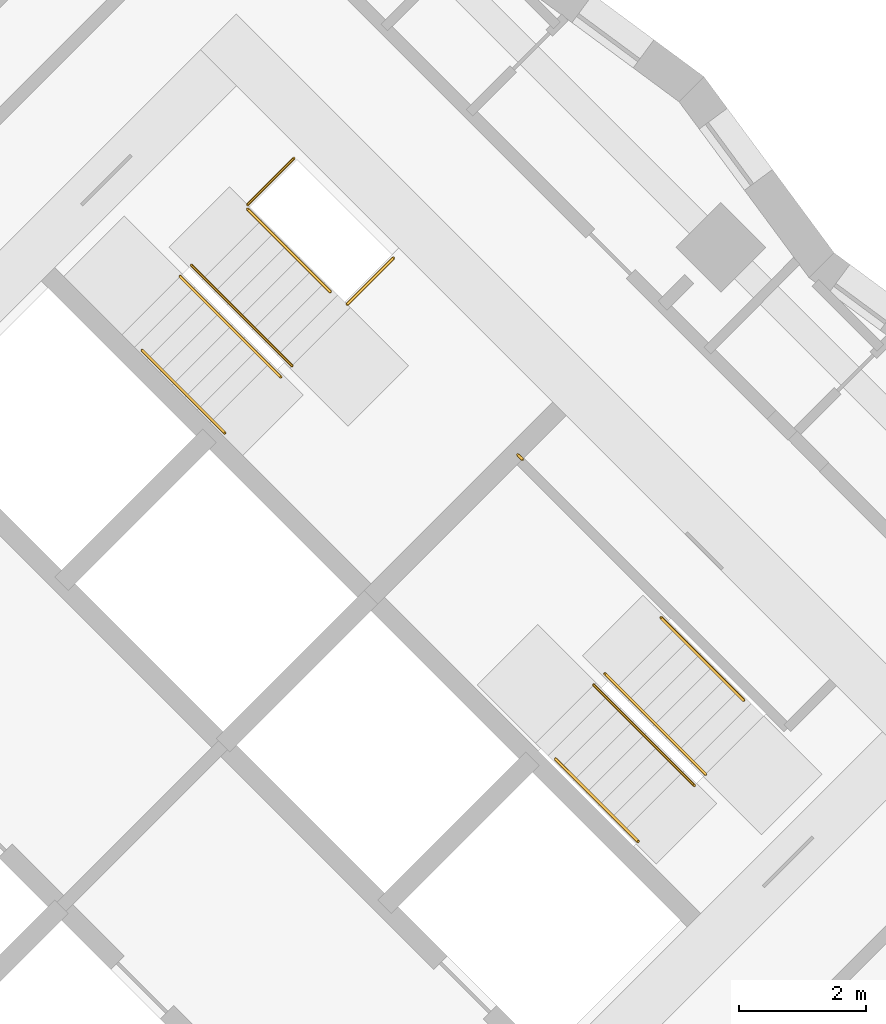
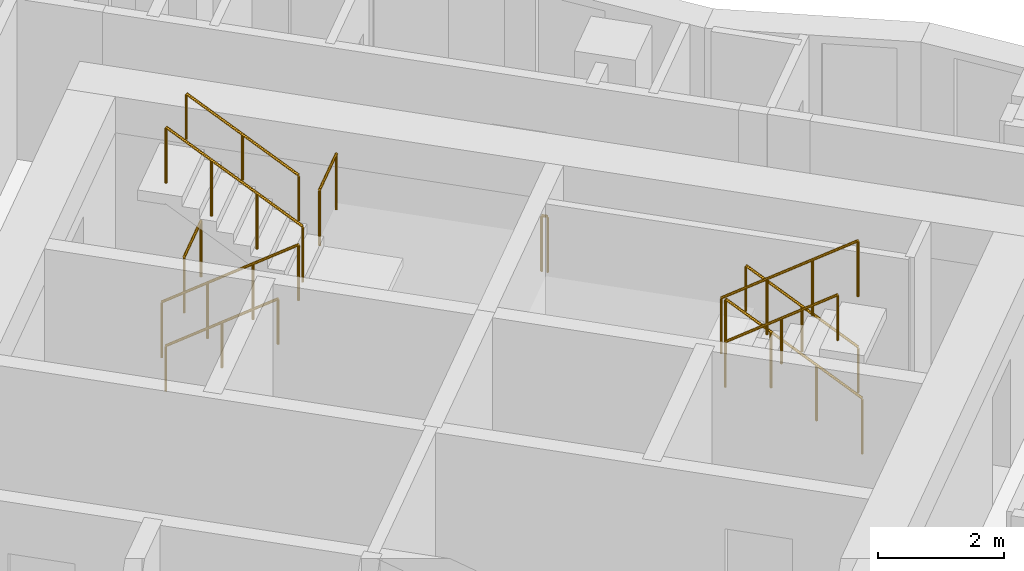
# One storey, part 13 of 13: 11 railings.
"""IFC4 building model written with IfcOpenShell, lengths in metres."""

from ifc_helpers import new_model, si_unit, direction, frame, origin, origin_2d, place, context, subcontext, project, spatial, circle, extrude, material, type_object, element, save


model = new_model("IFC4")

# Units and contexts
model_context = context("Model", 3, precision=1e-05, world=origin(), true_north=direction((0.0, 1.0)))
body_context = subcontext(model_context, "Body", "Model", "MODEL_VIEW")
ifc_project = project(units=[si_unit("LENGTHUNIT", "METRE"), si_unit("AREAUNIT", "SQUARE_METRE"), si_unit("VOLUMEUNIT", "CUBIC_METRE"), si_unit("PLANEANGLEUNIT", "RADIAN"), si_unit("MASSUNIT", "GRAM", prefix="KILO")], contexts=[model_context])

# Site, building, storey
site_placement = place(None, origin())
site = spatial("IfcSite", under=ifc_project, at=site_placement, CompositionType="ELEMENT")
building_placement = place(site_placement, origin())
building = spatial("IfcBuilding", under=site, at=building_placement, Name="Windrow Commons", CompositionType="ELEMENT")
storey_placement = place(building_placement, frame((0.0, 0.0, 105.0)))
storey = spatial("IfcBuildingStorey", under=building, at=storey_placement, Name="L28", CompositionType="ELEMENT", Elevation=105.0)

# Railings
ifc_material_1 = material(Name="Steel S355", Category="steel")
railing_type_1 = type_object("IfcRailingType", Name="Core stair guard 1100", PredefinedType="GUARDRAIL", material=ifc_material_1)
railing_1_placement = place(storey_placement, frame((85.9529, 56.2669, 0.1889)))
element("IfcRailing", 1, at=railing_1_placement, inside=storey, type_object=railing_type_1, Name="L28 ST-B1 stair guard 1", PredefinedType="GUARDRAIL", context=body_context, shape_type="SweptSolid", body=[
    extrude(circle(Radius=0.024, at=origin_2d()), frame((0.0, 0.0, 1.076), z_axis=(0.5861914914, -0.5861914914, 0.5592486664), x_axis=(0.7071067812, 0.7071067812, 0.0)), (0.0, 0.0, 1.0), 2.702),
    extrude(circle(Radius=0.021, at=origin_2d()), origin(), (0.0, 0.0, 1.0), 1.052),
    extrude(circle(Radius=0.021, at=origin_2d()), frame((0.528, -0.528, 0.5037)), (0.0, 0.0, 1.0), 1.052),
    extrude(circle(Radius=0.021, at=origin_2d()), frame((1.0559, -1.0559, 1.0074)), (0.0, 0.0, 1.0), 1.052),
    extrude(circle(Radius=0.021, at=origin_2d()), frame((1.5839, -1.5839, 1.5111)), (0.0, 0.0, 1.0), 1.052),
])
railing_2_placement = place(storey_placement, frame((87.7136, 54.8597, 1.8889)))
element("IfcRailing", 2, at=railing_2_placement, inside=storey, type_object=railing_type_1, Name="L28 ST-B1 stair guard 2", PredefinedType="GUARDRAIL", context=body_context, shape_type="SweptSolid", body=[
    extrude(circle(Radius=0.024, at=origin_2d()), frame((0.0, 0.0, 1.076), z_axis=(-0.5862030657, 0.5862030657, 0.5592244018), x_axis=(-0.7071067812, -0.7071067812, 0.0)), (0.0, 0.0, 1.0), 2.7021),
    extrude(circle(Radius=0.021, at=origin_2d()), origin(), (0.0, 0.0, 1.0), 1.052),
    extrude(circle(Radius=0.021, at=origin_2d()), frame((-0.528, 0.528, 0.5037)), (0.0, 0.0, 1.0), 1.052),
    extrude(circle(Radius=0.021, at=origin_2d()), frame((-1.056, 1.056, 1.0074)), (0.0, 0.0, 1.0), 1.052),
    extrude(circle(Radius=0.021, at=origin_2d()), frame((-1.584, 1.584, 1.5111)), (0.0, 0.0, 1.0), 1.052),
])
railing_3_placement = place(storey_placement, frame((87.0135, 57.3982, 0.0)))
element("IfcRailing", 3, at=railing_3_placement, inside=storey, type_object=railing_type_1, Name="L28 ST-B1 stair guard 3", PredefinedType="GUARDRAIL", context=body_context, shape_type="SweptSolid", body=[
    extrude(circle(Radius=0.024, at=origin_2d()), frame((0.0, 0.0, 1.076), z_axis=(0.7070582378, 0.7071553212, 0.0), x_axis=(-0.7071553212, 0.7070582378, 0.0)), (0.0, 0.0, 1.0), 1.03),
    extrude(circle(Radius=0.021, at=origin_2d()), origin(), (0.0, 0.0, 1.0), 1.052),
    extrude(circle(Radius=0.021, at=origin_2d()), frame((0.7283, 0.7284, 0.0)), (0.0, 0.0, 1.0), 1.052),
])
railing_4_placement = place(storey_placement, frame((88.5833, 55.8285, 1.7)))
element("IfcRailing", 4, at=railing_4_placement, inside=storey, type_object=railing_type_1, Name="L28 ST-B1 stair guard 4", PredefinedType="GUARDRAIL", context=body_context, shape_type="SweptSolid", body=[
    extrude(circle(Radius=0.024, at=origin_2d()), frame((0.0, 0.0, 1.076), z_axis=(0.7071067812, 0.7071067812, 0.0), x_axis=(-0.7071067812, 0.7071067812, 0.0)), (0.0, 0.0, 1.0), 1.03),
    extrude(circle(Radius=0.021, at=origin_2d()), origin(), (0.0, 0.0, 1.0), 1.052),
    extrude(circle(Radius=0.021, at=origin_2d()), frame((0.7283, 0.7283, 0.0)), (0.0, 0.0, 1.0), 1.052),
])
railing_5_placement = place(storey_placement, frame((94.2296, 48.4215, 0.1889)))
element("IfcRailing", 5, at=railing_5_placement, inside=storey, type_object=railing_type_1, Name="L28 ST-B2 stair guard 1", PredefinedType="GUARDRAIL", context=body_context, shape_type="SweptSolid", body=[
    extrude(circle(Radius=0.024, at=origin_2d()), frame((0.0, 0.0, 1.076), z_axis=(-0.5862157828, 0.5861787742, 0.5592365337), x_axis=(-0.7070844598, -0.7071291018, 0.0)), (0.0, 0.0, 1.0), 2.7021),
    extrude(circle(Radius=0.021, at=origin_2d()), origin(), (0.0, 0.0, 1.0), 1.052),
    extrude(circle(Radius=0.021, at=origin_2d()), frame((-0.528, 0.528, 0.5037)), (0.0, 0.0, 1.0), 1.052),
    extrude(circle(Radius=0.021, at=origin_2d()), frame((-1.056, 1.0559, 1.0074)), (0.0, 0.0, 1.0), 1.052),
    extrude(circle(Radius=0.021, at=origin_2d()), frame((-1.584, 1.5839, 1.5111)), (0.0, 0.0, 1.0), 1.052),
])
railing_6_placement = place(storey_placement, frame((92.4689, 49.8287, 1.8889)))
element("IfcRailing", 6, at=railing_6_placement, inside=storey, type_object=railing_type_1, Name="L28 ST-B2 stair guard 2", PredefinedType="GUARDRAIL", context=body_context, shape_type="SweptSolid", body=[
    extrude(circle(Radius=0.024, at=origin_2d()), frame((0.0, 0.0, 1.076), z_axis=(0.5861787742, -0.5862157828, 0.5592365337), x_axis=(0.7071291018, 0.7070844598, 0.0)), (0.0, 0.0, 1.0), 2.7021),
    extrude(circle(Radius=0.021, at=origin_2d()), origin(), (0.0, 0.0, 1.0), 1.052),
    extrude(circle(Radius=0.021, at=origin_2d()), frame((0.528, -0.528, 0.5037)), (0.0, 0.0, 1.0), 1.052),
    extrude(circle(Radius=0.021, at=origin_2d()), frame((1.0559, -1.056, 1.0074)), (0.0, 0.0, 1.0), 1.052),
    extrude(circle(Radius=0.021, at=origin_2d()), frame((1.5839, -1.584, 1.5111)), (0.0, 0.0, 1.0), 1.052),
])
railing_7_placement = place(storey_placement, frame((91.3446, 53.3854, 1.7)))
element("IfcRailing", 7, at=railing_7_placement, inside=storey, type_object=railing_type_1, Name="L28 ST-B2 stair guard 3", PredefinedType="GUARDRAIL", context=body_context, shape_type="SweptSolid", body=[
    extrude(circle(Radius=0.024, at=origin_2d()), frame((0.0, 0.0, 1.076), z_axis=(-0.7076063266, 0.7066068826, 0.0), x_axis=(-0.7066068826, -0.7076063266, 0.0)), (0.0, 0.0, 1.0), 0.1001),
    extrude(circle(Radius=0.021, at=origin_2d()), origin(), (0.0, 0.0, 1.0), 1.052),
    extrude(circle(Radius=0.021, at=origin_2d()), frame((-0.0708, 0.0707, 0.0)), (0.0, 0.0, 1.0), 1.052),
])
ifc_material_2 = material(Name="Steel S355", Category="steel")
railing_type_2 = type_object("IfcRailingType", Name="Core stair handrail 900", PredefinedType="HANDRAIL", material=ifc_material_2)
railing_8_placement = place(storey_placement, frame((85.3518, 55.1001, 0.4587)))
element("IfcRailing", 8, at=railing_8_placement, inside=storey, type_object=railing_type_2, Name="L28 ST-B1 stair handrail 1", PredefinedType="HANDRAIL", context=body_context, shape_type="SweptSolid", body=[
    extrude(circle(Radius=0.024, at=origin_2d()), frame((0.0, 0.0, 0.876), z_axis=(0.586206706, -0.5861616513, 0.5592639952), x_axis=(0.7070796062, 0.7071339551, 0.0)), (0.0, 0.0, 1.0), 2.2195),
    extrude(circle(Radius=0.021, at=origin_2d()), origin(), (0.0, 0.0, 1.0), 0.852),
    extrude(circle(Radius=0.021, at=origin_2d()), frame((0.6506, -0.6505, 0.6207)), (0.0, 0.0, 1.0), 0.852),
    extrude(circle(Radius=0.021, at=origin_2d()), frame((1.3011, -1.301, 1.2413)), (0.0, 0.0, 1.0), 0.852),
])
for number, where, name in (
    (9, (88.3146, 56.0265, 2.1587), "L28 ST-B1 stair handrail 2"),
    (10, (94.8306, 49.5883, 0.4587), "L28 ST-B2 stair handrail 1"),
):
    element("IfcRailing", number, at=place(storey_placement, frame(where)), inside=storey, type_object=railing_type_2, Name=name, PredefinedType="HANDRAIL", context=body_context, shape_type="SweptSolid", body=[
        extrude(circle(Radius=0.024, at=origin_2d()), frame((0.0, 0.0, 0.876), z_axis=(-0.586206706, 0.5861616513, 0.5592639952), x_axis=(-0.7070796062, -0.7071339551, 0.0)), (0.0, 0.0, 1.0), 2.2195),
        extrude(circle(Radius=0.021, at=origin_2d()), origin(), (0.0, 0.0, 1.0), 0.852),
        extrude(circle(Radius=0.021, at=origin_2d()), frame((-0.6506, 0.6505, 0.6207)), (0.0, 0.0, 1.0), 0.852),
        extrude(circle(Radius=0.021, at=origin_2d()), frame((-1.3011, 1.301, 1.2413)), (0.0, 0.0, 1.0), 0.852),
    ])
railing_9_placement = place(storey_placement, frame((91.8678, 48.6619, 2.1587)))
element("IfcRailing", 11, at=railing_9_placement, inside=storey, type_object=railing_type_2, Name="L28 ST-B2 stair handrail 2", PredefinedType="HANDRAIL", context=body_context, shape_type="SweptSolid", body=[
    extrude(circle(Radius=0.024, at=origin_2d()), frame((0.0, 0.0, 0.876), z_axis=(0.586206706, -0.5861616513, 0.5592639952), x_axis=(0.7070796062, 0.7071339551, 0.0)), (0.0, 0.0, 1.0), 2.2195),
    extrude(circle(Radius=0.021, at=origin_2d()), origin(), (0.0, 0.0, 1.0), 0.852),
    extrude(circle(Radius=0.021, at=origin_2d()), frame((0.6505, -0.6505, 0.6207)), (0.0, 0.0, 1.0), 0.852),
    extrude(circle(Radius=0.021, at=origin_2d()), frame((1.3011, -1.301, 1.2413)), (0.0, 0.0, 1.0), 0.852),
])

save(model, "model.ifc")
